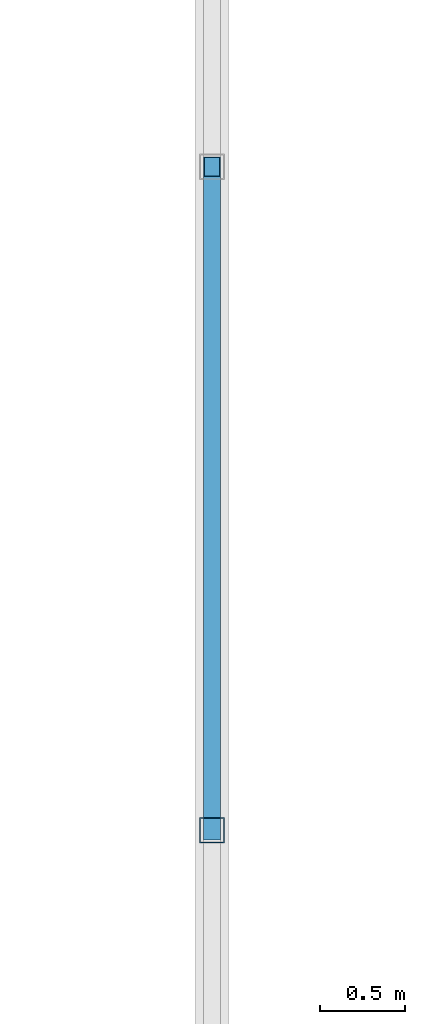
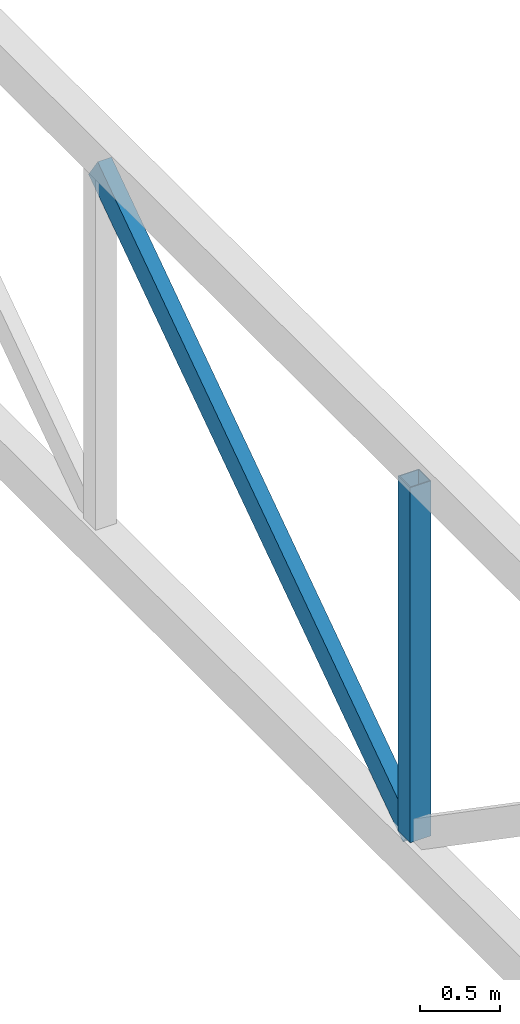
# One storey, part 10 of 47: 2 members.
"""IFC4 building model written with IfcOpenShell, lengths in metres."""

from ifc_helpers import new_model, si_unit, direction, frame, origin, origin_2d, place, context, subcontext, project, spatial, hollow_rectangle, extrude, material, material_profile, profile_set, type_object, element, save


model = new_model("IFC4")

# Units and contexts
model_context = context("Model", 3, precision=1e-05, world=origin(), true_north=direction((0.0, 1.0)))
body_context = subcontext(model_context, "Body", "Model", "MODEL_VIEW")
ifc_project = project(units=[si_unit("LENGTHUNIT", "METRE"), si_unit("AREAUNIT", "SQUARE_METRE"), si_unit("VOLUMEUNIT", "CUBIC_METRE"), si_unit("PLANEANGLEUNIT", "RADIAN"), si_unit("MASSUNIT", "GRAM", prefix="KILO")], contexts=[model_context])

# Site, building, storey
site_placement = place(None, origin())
site = spatial("IfcSite", under=ifc_project, at=site_placement, CompositionType="ELEMENT")
building_placement = place(site_placement, origin())
building = spatial("IfcBuilding", under=site, at=building_placement, Name="Nakaniwa Court", CompositionType="ELEMENT")
storey_placement = place(building_placement, frame((0.0, 0.0, 15.60009765625)))
storey = spatial("IfcBuildingStorey", under=building, at=storey_placement, Name="L03", CompositionType="ELEMENT", Elevation=15.60009765625)

# Members
ifc_material = material(Name="Steel AS/NZS 1163 Grade C350L0", Category="steel")
ifc_material_profile_1 = material_profile(ifc_material, hollow_rectangle(XDim=0.10009765625, YDim=0.199951171875, WallThickness=0.006103515625, at=origin_2d()), Name="RHS 200x100x6")
ifc_profile_set_1 = profile_set([ifc_material_profile_1], Name="Steel AS/NZS 1163 Grade C350L0")
member_type_1 = type_object("IfcMemberType", Name="Roof truss diagonal RHS 200x100x6", PredefinedType="BRACE", material=ifc_profile_set_1)
member_1_placement = place(storey_placement, frame((175.0, 80.0, 1.0), z_axis=(0.0, 0.823336002071, 0.567554250882), x_axis=(-1.0, 0.0, 0.0)))
element("IfcMember", 1, at=member_1_placement, inside=storey, type_object=member_type_1, Name="Roof truss A1 diagonal 4", PredefinedType="BRACE", context=body_context, shape_type="SweptSolid", body=[
    extrude(hollow_rectangle(XDim=0.10009765625, YDim=0.199951171875, WallThickness=0.006103515625, at=origin_2d()), origin(), (0.0, 0.0, 1.0), 4.757080078125),
])
ifc_material_profile_2 = material_profile(ifc_material, hollow_rectangle(XDim=0.14990234375, YDim=0.14990234375, WallThickness=0.006103515625, at=origin_2d()), Name="SHS 150x150x6")
ifc_profile_set_2 = profile_set([ifc_material_profile_2], Name="Steel AS/NZS 1163 Grade C350L0")
member_type_2 = type_object("IfcMemberType", Name="Roof truss post SHS 150x150x6", PredefinedType="STRUT", material=ifc_profile_set_2)
member_2_placement = place(storey_placement, frame((175.0, 80.0, 1.0), z_axis=(0.0, 0.0, 1.0), x_axis=(1.0, 0.0, 0.0)))
element("IfcMember", 2, at=member_2_placement, inside=storey, type_object=member_type_2, Name="Roof truss A1 post 4", PredefinedType="STRUT", context=body_context, shape_type="SweptSolid", body=[
    extrude(hollow_rectangle(XDim=0.14990234375, YDim=0.14990234375, WallThickness=0.006103515625, at=origin_2d()), origin(), (0.0, 0.0, 1.0), 2.699951171875),
])

save(model, "model.ifc")
